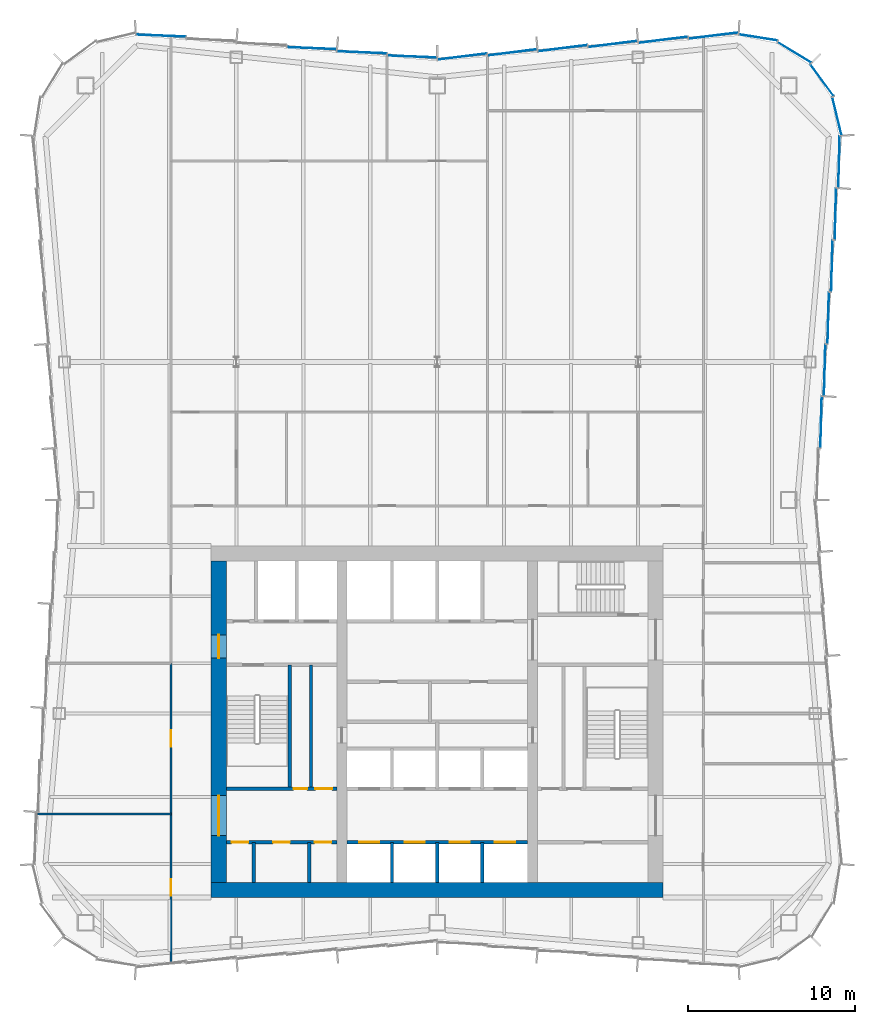
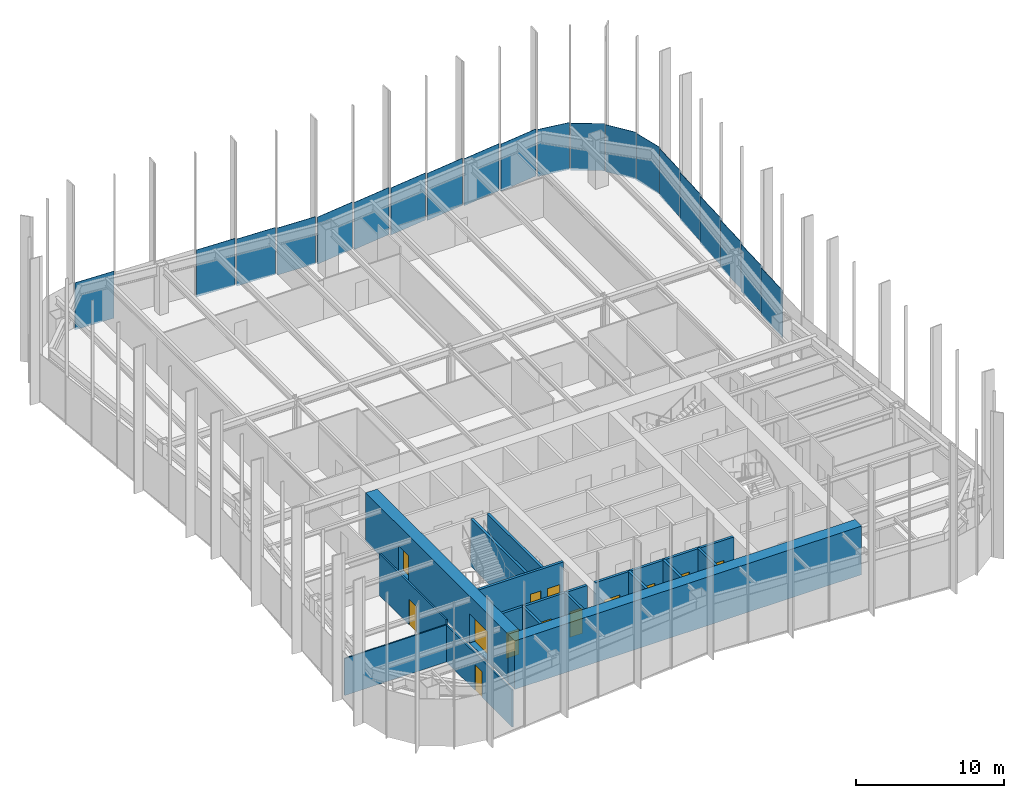
# One storey, part 9 of 13: 20 plates, 15 walls, 13 doors, 13 openings, 3 elements without a shape of their own.
"""IFC4 building model written with IfcOpenShell, lengths in metres."""

from ifc_helpers import new_model, si_unit, direction, frame, frame_2d, origin, origin_2d, place, context, subcontext, project, spatial, rectangle, extrude, material, layer, layer_set, type_object, element, fill, aggregate, save


model = new_model("IFC4")

# Units and contexts
model_context = context("Model", 3, precision=1e-05, world=origin(), true_north=direction((0.0, 1.0)))
body_context = subcontext(model_context, "Body", "Model", "MODEL_VIEW")
ifc_project = project(units=[si_unit("LENGTHUNIT", "METRE"), si_unit("AREAUNIT", "SQUARE_METRE"), si_unit("VOLUMEUNIT", "CUBIC_METRE"), si_unit("PLANEANGLEUNIT", "RADIAN"), si_unit("MASSUNIT", "GRAM", prefix="KILO")], contexts=[model_context])

# Site, building, storey
site_placement = place(None, origin())
site = spatial("IfcSite", under=ifc_project, at=site_placement, CompositionType="ELEMENT")
building_placement = place(site_placement, origin())
building = spatial("IfcBuilding", under=site, at=building_placement, Name="Verdant Reach Tower", CompositionType="ELEMENT")
storey_placement = place(building_placement, frame((0.0, 0.0, 206.0)))
storey = spatial("IfcBuildingStorey", under=building, at=storey_placement, Name="L47", CompositionType="ELEMENT", Elevation=206.0)

# Curtain wall, plate
ifc_material_1 = material(Name="Anodised aluminium", Category="aluminium")
curtain_wall_type = type_object("IfcCurtainWallType", Name="EN-CW SYSTEM Z3", PredefinedType="NOTDEFINED", material=ifc_material_1)
curtain_wall_1_placement = place(storey_placement, origin())
curtain_wall_1 = element("IfcCurtainWall", 1, at=curtain_wall_1_placement, inside=storey, type_object=curtain_wall_type, Name="Curtain wall east, L47", PredefinedType="NOTDEFINED")
ifc_material_2 = material(Name="Tinted glass with champagne spandrel", Category="glass")
ifc_layer_1 = layer(ifc_material_2, 0.031982421875)
ifc_layer_set_1 = layer_set([ifc_layer_1], Name="EN-PANEL CHAMPAGNE")
plate_type_1 = type_object("IfcPlateType", Name="EN-PANEL CHAMPAGNE", PredefinedType="CURTAIN_PANEL", material=ifc_layer_set_1)
plate_1_placement = place(storey_placement, frame((24.001708984375, 61.446044921875, -0.22412109375), z_axis=(0.0, 0.0, 1.0), x_axis=(0.026659626966, 0.999644568979, 0.0)))
plate_1 = element("IfcPlate", 2, at=plate_1_placement, type_object=plate_type_1, Name="Glass panel east face part 2 7.1, L47", PredefinedType="CURTAIN_PANEL", context=body_context, shape_type="SweptSolid", body=[
    extrude(rectangle(XDim=3.06689453125, YDim=0.031982421875, at=origin_2d()), origin(), (0.0, 0.0, 1.0), 3.8740234375),
])

# Curtain wall, plates
curtain_wall_2_placement = place(storey_placement, origin())
curtain_wall_2 = element("IfcCurtainWall", 3, at=curtain_wall_2_placement, inside=storey, type_object=curtain_wall_type, Name="Curtain wall north, L47", PredefinedType="NOTDEFINED")
plate_2_placement = place(storey_placement, frame((7.490966796875, 68.233642578125, -0.22412109375), z_axis=(0.0, 0.0, 1.0), x_axis=(-0.992194034542, -0.124703639961, 0.0)))
plate_2 = element("IfcPlate", 4, at=plate_2_placement, type_object=plate_type_1, Name="Glass panel north face part 1 4.1, L47", PredefinedType="CURTAIN_PANEL", context=body_context, shape_type="SweptSolid", body=[
    extrude(rectangle(XDim=2.948486328125, YDim=0.031982421875, at=origin_2d()), origin(), (0.0, 0.0, 1.0), 3.8740234375),
])
plate_3_placement = place(storey_placement, frame((4.490966796875, 67.983642578125, -0.22412109375), z_axis=(0.0, 0.0, 1.0), x_axis=(-0.992194034542, -0.124703639961, 0.0)))
plate_3 = element("IfcPlate", 5, at=plate_3_placement, type_object=plate_type_1, Name="Glass panel north face part 1 5.1, L47", PredefinedType="CURTAIN_PANEL", context=body_context, shape_type="SweptSolid", body=[
    extrude(rectangle(XDim=2.948486328125, YDim=0.031982421875, at=origin_2d()), origin(), (0.0, 0.0, 1.0), 3.8740234375),
])
plate_4_placement = place(storey_placement, frame((-16.49853515625, 68.983642578125, -0.22412109375), z_axis=(0.0, 0.0, 1.0), x_axis=(-0.999163623568, 0.040890748818, 0.0)))
plate_4 = element("IfcPlate", 6, at=plate_4_placement, type_object=plate_type_1, Name="Glass panel north face part 2 6.1, L47", PredefinedType="CURTAIN_PANEL", context=body_context, shape_type="SweptSolid", body=[
    extrude(rectangle(XDim=2.963623046875, YDim=0.031982421875, at=origin_2d()), origin(), (0.0, 0.0, 1.0), 3.8740234375),
])

# Plate
ifc_material_3 = material(Name="Tinted glass with copper spandrel", Category="glass")
ifc_layer_2 = layer(ifc_material_3, 0.031982421875)
ifc_layer_set_2 = layer_set([ifc_layer_2], Name="EN-PANEL COPPER")
plate_type_2 = type_object("IfcPlateType", Name="EN-PANEL COPPER", PredefinedType="CURTAIN_PANEL", material=ifc_layer_set_2)
plate_5_placement = place(storey_placement, frame((22.93017578125, 45.9033203125, -0.22412109375), z_axis=(0.0, 0.0, 1.0), x_axis=(0.026965318308, 0.999636369691, 0.0)))
plate_5 = element("IfcPlate", 7, at=plate_5_placement, type_object=plate_type_2, Name="Glass panel east face part 2 2.1, L47", PredefinedType="CURTAIN_PANEL", context=body_context, shape_type="SweptSolid", body=[
    extrude(rectangle(XDim=3.052490234375, YDim=0.031982421875, at=origin_2d()), origin(), (0.0, 0.0, 1.0), 3.8740234375),
])

plate_6_placement = place(storey_placement, frame((23.14453125, 49.01025390625, -0.22412109375), z_axis=(0.0, 0.0, 1.0), x_axis=(0.026965318308, 0.999636369691, 0.0)))
plate_6 = element("IfcPlate", 8, at=plate_6_placement, type_object=plate_type_2, Name="Glass panel east face part 2 3.1, L47", PredefinedType="CURTAIN_PANEL", context=body_context, shape_type="SweptSolid", body=[
    extrude(rectangle(XDim=3.052490234375, YDim=0.031982421875, at=origin_2d()), origin(), (0.0, 0.0, 1.0), 3.8740234375),
])

# Curtain wall, plates
curtain_wall_3_placement = place(storey_placement, origin())
curtain_wall_3 = element("IfcCurtainWall", 9, at=curtain_wall_3_placement, inside=storey, type_object=curtain_wall_type, Name="Curtain wall north-east corner, L47", PredefinedType="NOTDEFINED")
plate_7_placement = place(storey_placement, frame((23.87646484375, 64.17236328125, -0.22412109375), z_axis=(0.0, 0.0, 1.0), x_axis=(-0.23644624331, 0.97164457186, 0.0)))
plate_7 = element("IfcPlate", 10, at=plate_7_placement, type_object=plate_type_2, Name="Glass panel north-east corner 1.1, L47", PredefinedType="CURTAIN_PANEL", context=body_context, shape_type="SweptSolid", body=[
    extrude(rectangle(XDim=2.314697265625, YDim=0.031982421875, at=origin_2d()), origin(), (0.0, 0.0, 1.0), 3.8740234375),
])
plate_8_placement = place(storey_placement, frame((22.98193359375, 66.328857421875, -0.22412109375), z_axis=(0.0, 0.0, 1.0), x_axis=(-0.589926747542, 0.807456768214, 0.0)))
plate_8 = element("IfcPlate", 11, at=plate_8_placement, type_object=plate_type_2, Name="Glass panel north-east corner 2.1, L47", PredefinedType="CURTAIN_PANEL", context=body_context, shape_type="SweptSolid", body=[
    extrude(rectangle(XDim=2.321533203125, YDim=0.031982421875, at=origin_2d()), origin(), (0.0, 0.0, 1.0), 3.8740234375),
])

# Plate
plate_9_placement = place(storey_placement, frame((1.495361328125, 67.73388671875, -0.22412109375), z_axis=(0.0, 0.0, 1.0), x_axis=(-0.992178382939, -0.124828107529, 0.0)))
plate_9 = element("IfcPlate", 12, at=plate_9_placement, type_object=plate_type_2, Name="Glass panel north face part 1 6.1, L47", PredefinedType="CURTAIN_PANEL", context=body_context, shape_type="SweptSolid", body=[
    extrude(rectangle(XDim=2.939453125, YDim=0.031982421875, at=origin_2d()), origin(), (0.0, 0.0, 1.0), 3.8740234375),
])

plate_10_placement = place(storey_placement, frame((-1.495361328125, 67.73388671875, -0.22412109375), z_axis=(0.0, 0.0, 1.0), x_axis=(-0.999144020525, 0.041366970501, 0.0)))
plate_10 = element("IfcPlate", 13, at=plate_10_placement, type_object=plate_type_2, Name="Glass panel north face part 2 1.1, L47", PredefinedType="CURTAIN_PANEL", context=body_context, shape_type="SweptSolid", body=[
    extrude(rectangle(XDim=2.939453125, YDim=0.031982421875, at=origin_2d()), origin(), (0.0, 0.0, 1.0), 3.8740234375),
])

plate_11_placement = place(storey_placement, frame((-4.490966796875, 67.983642578125, -0.22412109375), z_axis=(0.0, 0.0, 1.0), x_axis=(-0.999149202059, 0.041241629766, 0.0)))
plate_11 = element("IfcPlate", 14, at=plate_11_placement, type_object=plate_type_2, Name="Glass panel north face part 2 2.1, L47", PredefinedType="CURTAIN_PANEL", context=body_context, shape_type="SweptSolid", body=[
    extrude(rectangle(XDim=2.948486328125, YDim=0.031982421875, at=origin_2d()), origin(), (0.0, 0.0, 1.0), 3.8740234375),
])

ifc_material_4 = material(Name="Tinted glass with dark bronze spandrel", Category="glass")
ifc_layer_3 = layer(ifc_material_4, 0.031982421875)
ifc_layer_set_3 = layer_set([ifc_layer_3], Name="EN-PANEL DARK")
plate_type_3 = type_object("IfcPlateType", Name="EN-PANEL DARK", PredefinedType="CURTAIN_PANEL", material=ifc_layer_set_3)
plate_12_placement = place(storey_placement, frame((23.358642578125, 52.117431640625, -0.22412109375), z_axis=(0.0, 0.0, 1.0), x_axis=(0.026965318308, 0.999636369691, 0.0)))
plate_12 = element("IfcPlate", 15, at=plate_12_placement, type_object=plate_type_3, Name="Glass panel east face part 2 4.1, L47", PredefinedType="CURTAIN_PANEL", context=body_context, shape_type="SweptSolid", body=[
    extrude(rectangle(XDim=3.052490234375, YDim=0.031982421875, at=origin_2d()), origin(), (0.0, 0.0, 1.0), 3.8740234375),
])

plate_13_placement = place(storey_placement, frame((23.572998046875, 55.224609375, -0.22412109375), z_axis=(0.0, 0.0, 1.0), x_axis=(0.026965318308, 0.999636369691, 0.0)))
plate_13 = element("IfcPlate", 16, at=plate_13_placement, type_object=plate_type_3, Name="Glass panel east face part 2 5.1, L47", PredefinedType="CURTAIN_PANEL", context=body_context, shape_type="SweptSolid", body=[
    extrude(rectangle(XDim=3.052490234375, YDim=0.031982421875, at=origin_2d()), origin(), (0.0, 0.0, 1.0), 3.8740234375),
])

plate_14_placement = place(storey_placement, frame((23.787353515625, 58.331787109375, -0.22412109375), z_axis=(0.0, 0.0, 1.0), x_axis=(0.026965318308, 0.999636369691, 0.0)))
plate_14 = element("IfcPlate", 17, at=plate_14_placement, type_object=plate_type_3, Name="Glass panel east face part 2 6.1, L47", PredefinedType="CURTAIN_PANEL", context=body_context, shape_type="SweptSolid", body=[
    extrude(rectangle(XDim=3.052490234375, YDim=0.031982421875, at=origin_2d()), origin(), (0.0, 0.0, 1.0), 3.8740234375),
])

aggregate(curtain_wall_1, [plate_5, plate_6, plate_12, plate_13, plate_14, plate_1])

plate_15_placement = place(storey_placement, frame((21.328857421875, 67.98193359375, -0.22412109375), z_axis=(0.0, 0.0, 1.0), x_axis=(-0.853988701636, 0.520291550457, 0.0)))
plate_15 = element("IfcPlate", 18, at=plate_15_placement, type_object=plate_type_3, Name="Glass panel north-east corner 3.1, L47", PredefinedType="CURTAIN_PANEL", context=body_context, shape_type="SweptSolid", body=[
    extrude(rectangle(XDim=2.321533203125, YDim=0.031982421875, at=origin_2d()), origin(), (0.0, 0.0, 1.0), 3.8740234375),
])

plate_16_placement = place(storey_placement, frame((19.171875, 68.87646484375, -0.22412109375), z_axis=(0.0, 0.0, 1.0), x_axis=(-0.988029071555, 0.154267798848, 0.0)))
plate_16 = element("IfcPlate", 19, at=plate_16_placement, type_object=plate_type_3, Name="Glass panel north-east corner 4.1, L47", PredefinedType="CURTAIN_PANEL", context=body_context, shape_type="SweptSolid", body=[
    extrude(rectangle(XDim=2.3154296875, YDim=0.031982421875, at=origin_2d()), origin(), (0.0, 0.0, 1.0), 3.8740234375),
])

aggregate(curtain_wall_3, [plate_7, plate_8, plate_15, plate_16])

plate_17_placement = place(storey_placement, frame((16.49853515625, 68.983642578125, -0.22412109375), z_axis=(0.0, 0.0, 1.0), x_axis=(-0.992237766434, -0.124355196363, 0.0)))
plate_17 = element("IfcPlate", 20, at=plate_17_placement, type_object=plate_type_3, Name="Glass panel north face part 1 1.1, L47", PredefinedType="CURTAIN_PANEL", context=body_context, shape_type="SweptSolid", body=[
    extrude(rectangle(XDim=2.963623046875, YDim=0.031982421875, at=origin_2d()), origin(), (0.0, 0.0, 1.0), 3.8740234375),
])

plate_18_placement = place(storey_placement, frame((13.490966796875, 68.733642578125, -0.22412109375), z_axis=(0.0, 0.0, 1.0), x_axis=(-0.992194034542, -0.124703639961, 0.0)))
plate_18 = element("IfcPlate", 21, at=plate_18_placement, type_object=plate_type_3, Name="Glass panel north face part 1 2.1, L47", PredefinedType="CURTAIN_PANEL", context=body_context, shape_type="SweptSolid", body=[
    extrude(rectangle(XDim=2.948486328125, YDim=0.031982421875, at=origin_2d()), origin(), (0.0, 0.0, 1.0), 3.8740234375),
])

plate_19_placement = place(storey_placement, frame((10.490966796875, 68.483642578125, -0.22412109375), z_axis=(0.0, 0.0, 1.0), x_axis=(-0.992194034542, -0.124703639961, 0.0)))
plate_19 = element("IfcPlate", 22, at=plate_19_placement, type_object=plate_type_3, Name="Glass panel north face part 1 3.1, L47", PredefinedType="CURTAIN_PANEL", context=body_context, shape_type="SweptSolid", body=[
    extrude(rectangle(XDim=2.948486328125, YDim=0.031982421875, at=origin_2d()), origin(), (0.0, 0.0, 1.0), 3.8740234375),
])

plate_20_placement = place(storey_placement, frame((-7.490966796875, 68.233642578125, -0.22412109375), z_axis=(0.0, 0.0, 1.0), x_axis=(-0.999149202059, 0.041241629766, 0.0)))
plate_20 = element("IfcPlate", 23, at=plate_20_placement, type_object=plate_type_3, Name="Glass panel north face part 2 3.1, L47", PredefinedType="CURTAIN_PANEL", context=body_context, shape_type="SweptSolid", body=[
    extrude(rectangle(XDim=2.948486328125, YDim=0.031982421875, at=origin_2d()), origin(), (0.0, 0.0, 1.0), 3.8740234375),
])

aggregate(curtain_wall_2, [plate_17, plate_18, plate_19, plate_2, plate_3, plate_9, plate_10, plate_11, plate_20, plate_4])

# Wall, openings, doors
ifc_material_5 = material(Name="Gypsum board on steel studs", Category="steel")
ifc_layer_4 = layer(ifc_material_5, 0.199951171875)
ifc_layer_set_4 = layer_set([ifc_layer_4], Name="CO-WALL-ROOM")
wall_type_1 = type_object("IfcWallType", Name="CO-WALL-ROOM", PredefinedType="PARTITIONING", material=ifc_layer_set_4)
wall_1_placement = place(storey_placement, frame((-12.60009765625, 20.800048828125, 0.0), z_axis=(0.0, 0.0, 1.0), x_axis=(1.0, 0.0, 0.0)))
wall_1 = element("IfcWall", 24, at=wall_1_placement, inside=storey, type_object=wall_type_1, Name="Core partition, L47", PredefinedType="PARTITIONING", context=body_context, shape_type="SweptSolid", body=[
    extrude(rectangle(XDim=6.60009765625, YDim=0.199951171875, at=frame_2d((3.300048828125, 0.0))), origin(), (0.0, 0.0, 1.0), 3.8701171875),
])
opening_1_placement = place(wall_1_placement, frame((0.324951171875, 0.0, 0.0)))
opening_1 = element("IfcOpeningElement", 25, at=opening_1_placement, cuts=wall_1, Name="Opening CD", PredefinedType="OPENING", context=body_context, shape_type="SweptSolid", body=[
    extrude(rectangle(XDim=1.0, YDim=2.10009765625, at=frame_2d((0.5, 1.050048828125))), frame((0.0, 0.10986328125, 0.0), z_axis=(0.0, -1.0, 0.0), x_axis=(1.0, 0.0, 0.0)), (0.0, 0.0, 1.0), 0.219970703125),
])
opening_2_placement = place(wall_1_placement, frame((2.800048828125, 0.0, 0.0)))
opening_2 = element("IfcOpeningElement", 26, at=opening_2_placement, cuts=wall_1, Name="Opening CD", PredefinedType="OPENING", context=body_context, shape_type="SweptSolid", body=[
    extrude(rectangle(XDim=1.0, YDim=2.10009765625, at=frame_2d((0.5, 1.050048828125))), frame((0.0, 0.10986328125, 0.0), z_axis=(0.0, -1.0, 0.0), x_axis=(1.0, 0.0, 0.0)), (0.0, 0.0, 1.0), 0.219970703125),
])
opening_3_placement = place(wall_1_placement, frame((5.27490234375, 0.0, 0.0)))
opening_3 = element("IfcOpeningElement", 27, at=opening_3_placement, cuts=wall_1, Name="Opening CD", PredefinedType="OPENING", context=body_context, shape_type="SweptSolid", body=[
    extrude(rectangle(XDim=1.0, YDim=2.10009765625, at=frame_2d((0.5, 1.050048828125))), frame((0.0, 0.10986328125, 0.0), z_axis=(0.0, -1.0, 0.0), x_axis=(1.0, 0.0, 0.0)), (0.0, 0.0, 1.0), 0.219970703125),
])
ifc_material_6 = material(Name="Timber", Category="wood")
door_type_1 = type_object("IfcDoorType", Name="CO-DOOR-ROOM", OperationType="NOTDEFINED", PredefinedType="DOOR", material=ifc_material_6)
door_1_placement = place(opening_1_placement, origin())
door_1 = element("IfcDoor", 28, at=door_1_placement, inside=storey, type_object=door_type_1, Name="Core room door, L47", OperationType="SINGLE_SWING_RIGHT", OverallHeight=2.10009765625, OverallWidth=1.0, PredefinedType="DOOR", context=body_context, shape_type="SweptSolid", body=[
    extrude(rectangle(XDim=1.0, YDim=2.10009765625, at=frame_2d((0.5, 1.050048828125))), frame((0.0, 0.02490234375, 0.0), z_axis=(0.0, -1.0, 0.0), x_axis=(1.0, 0.0, 0.0)), (0.0, 0.0, 1.0), 0.050048828125),
])
fill(opening_1, door_1)
door_2_placement = place(opening_2_placement, origin())
door_2 = element("IfcDoor", 29, at=door_2_placement, inside=storey, type_object=door_type_1, Name="Core room door, L47", OperationType="SINGLE_SWING_RIGHT", OverallHeight=2.10009765625, OverallWidth=1.0, PredefinedType="DOOR", context=body_context, shape_type="SweptSolid", body=[
    extrude(rectangle(XDim=1.0, YDim=2.10009765625, at=frame_2d((0.5, 1.050048828125))), frame((0.0, 0.02490234375, 0.0), z_axis=(0.0, -1.0, 0.0), x_axis=(1.0, 0.0, 0.0)), (0.0, 0.0, 1.0), 0.050048828125),
])
fill(opening_2, door_2)
door_3_placement = place(opening_3_placement, origin())
door_3 = element("IfcDoor", 30, at=door_3_placement, inside=storey, type_object=door_type_1, Name="Core room door, L47", OperationType="SINGLE_SWING_RIGHT", OverallHeight=2.10009765625, OverallWidth=1.0, PredefinedType="DOOR", context=body_context, shape_type="SweptSolid", body=[
    extrude(rectangle(XDim=1.0, YDim=2.10009765625, at=frame_2d((0.5, 1.050048828125))), frame((0.0, 0.02490234375, 0.0), z_axis=(0.0, -1.0, 0.0), x_axis=(1.0, 0.0, 0.0)), (0.0, 0.0, 1.0), 0.050048828125),
])
fill(opening_3, door_3)

# Walls
for number, where, z_axis, x_axis, name in (
    (31, (-10.949951171875, 18.39990234375, 0.0), (0.0, 0.0, 1.0), (0.0, 1.0, 0.0), "Core partition, L47"),
    (32, (-7.64990234375, 18.39990234375, 0.0), (0.0, 0.0, 1.0), (0.0, 1.0, 0.0), "Core partition, L47"),
):
    element("IfcWall", number, at=place(storey_placement, frame(where, z_axis=z_axis, x_axis=x_axis)), inside=storey, type_object=wall_type_1, Name=name, PredefinedType="PARTITIONING", context=body_context, shape_type="SweptSolid", body=[
        extrude(rectangle(XDim=2.400146484375, YDim=0.199951171875, at=frame_2d((1.2001953125, 0.0))), origin(), (0.0, 0.0, 1.0), 3.8701171875),
    ])
wall_2_placement = place(storey_placement, frame((-7.5400390625, 24.0, 0.0), z_axis=(0.0, 0.0, 1.0), x_axis=(0.0, 1.0, 0.0)))
element("IfcWall", 33, at=wall_2_placement, inside=storey, type_object=wall_type_1, Name="Core partition, L47", PredefinedType="PARTITIONING", context=body_context, shape_type="SweptSolid", body=[
    extrude(rectangle(XDim=7.39990234375, YDim=0.199951171875, at=frame_2d((3.699951171875, 0.0))), origin(), (0.0, 0.0, 1.0), 3.8701171875),
])

# Wall, openings, doors
ifc_material_7 = material(Name="Concrete C40/50", Category="concrete")
ifc_layer_5 = layer(ifc_material_7, 0.199951171875)
ifc_layer_set_5 = layer_set([ifc_layer_5], Name="CO-WALL-SHAFT")
wall_type_2 = type_object("IfcWallType", Name="CO-WALL-SHAFT", PredefinedType="PARTITIONING", material=ifc_layer_set_5)
wall_3_placement = place(storey_placement, frame((-5.39990234375, 20.800048828125, 0.0), z_axis=(0.0, 0.0, 1.0), x_axis=(1.0, 0.0, 0.0)))
wall_3 = element("IfcWall", 34, at=wall_3_placement, inside=storey, type_object=wall_type_2, Name="Lift shaft wall, L47", PredefinedType="PARTITIONING", context=body_context, shape_type="SweptSolid", body=[
    extrude(rectangle(XDim=10.7998046875, YDim=0.199951171875, at=frame_2d((5.39990234375, 0.0))), origin(), (0.0, 0.0, 1.0), 3.8701171875),
])
opening_4_placement = place(wall_3_placement, frame((0.75, 0.0, 0.0)))
opening_4 = element("IfcOpeningElement", 35, at=opening_4_placement, cuts=wall_3, Name="Opening LD-B1", PredefinedType="OPENING", context=body_context, shape_type="SweptSolid", body=[
    extrude(rectangle(XDim=1.199951171875, YDim=2.199951171875, at=frame_2d((0.60009765625, 1.10009765625))), frame((0.0, 0.10986328125, 0.0), z_axis=(0.0, -1.0, 0.0), x_axis=(1.0, 0.0, 0.0)), (0.0, 0.0, 1.0), 0.219970703125),
])
opening_5_placement = place(wall_3_placement, frame((3.449951171875, 0.0, 0.0)))
opening_5 = element("IfcOpeningElement", 36, at=opening_5_placement, cuts=wall_3, Name="Opening LD-B2", PredefinedType="OPENING", context=body_context, shape_type="SweptSolid", body=[
    extrude(rectangle(XDim=1.199951171875, YDim=2.199951171875, at=frame_2d((0.60009765625, 1.10009765625))), frame((0.0, 0.10986328125, 0.0), z_axis=(0.0, -1.0, 0.0), x_axis=(1.0, 0.0, 0.0)), (0.0, 0.0, 1.0), 0.219970703125),
])
opening_6_placement = place(wall_3_placement, frame((6.14990234375, 0.0, 0.0)))
opening_6 = element("IfcOpeningElement", 37, at=opening_6_placement, cuts=wall_3, Name="Opening LD-B3", PredefinedType="OPENING", context=body_context, shape_type="SweptSolid", body=[
    extrude(rectangle(XDim=1.199951171875, YDim=2.199951171875, at=frame_2d((0.60009765625, 1.10009765625))), frame((0.0, 0.10986328125, 0.0), z_axis=(0.0, -1.0, 0.0), x_axis=(1.0, 0.0, 0.0)), (0.0, 0.0, 1.0), 0.219970703125),
])
opening_7_placement = place(wall_3_placement, frame((8.85009765625, 0.0, 0.0)))
opening_7 = element("IfcOpeningElement", 38, at=opening_7_placement, cuts=wall_3, Name="Opening LD-B4", PredefinedType="OPENING", context=body_context, shape_type="SweptSolid", body=[
    extrude(rectangle(XDim=1.199951171875, YDim=2.199951171875, at=frame_2d((0.60009765625, 1.10009765625))), frame((0.0, 0.10986328125, 0.0), z_axis=(0.0, -1.0, 0.0), x_axis=(1.0, 0.0, 0.0)), (0.0, 0.0, 1.0), 0.219970703125),
])
ifc_material_8 = material(Name="Stainless steel", Category="steel")
door_type_2 = type_object("IfcDoorType", Name="CO-DOOR-LANDING", OperationType="SLIDING_TO_LEFT", PredefinedType="DOOR", material=ifc_material_8)
door_4_placement = place(opening_4_placement, origin())
door_4 = element("IfcDoor", 39, at=door_4_placement, inside=storey, type_object=door_type_2, Name="Landing door B1, L47", OperationType="SLIDING_TO_LEFT", OverallHeight=2.199951171875, OverallWidth=1.199951171875, PredefinedType="DOOR", context=body_context, shape_type="SweptSolid", body=[
    extrude(rectangle(XDim=1.199951171875, YDim=2.199951171875, at=frame_2d((0.60009765625, 1.10009765625))), frame((0.0, 0.02490234375, 0.0), z_axis=(0.0, -1.0, 0.0), x_axis=(1.0, 0.0, 0.0)), (0.0, 0.0, 1.0), 0.050048828125),
])
fill(opening_4, door_4)
door_5_placement = place(opening_5_placement, origin())
door_5 = element("IfcDoor", 40, at=door_5_placement, inside=storey, type_object=door_type_2, Name="Landing door B2, L47", OperationType="SLIDING_TO_LEFT", OverallHeight=2.199951171875, OverallWidth=1.199951171875, PredefinedType="DOOR", context=body_context, shape_type="SweptSolid", body=[
    extrude(rectangle(XDim=1.199951171875, YDim=2.199951171875, at=frame_2d((0.60009765625, 1.10009765625))), frame((0.0, 0.02490234375, 0.0), z_axis=(0.0, -1.0, 0.0), x_axis=(1.0, 0.0, 0.0)), (0.0, 0.0, 1.0), 0.050048828125),
])
fill(opening_5, door_5)
door_6_placement = place(opening_6_placement, origin())
door_6 = element("IfcDoor", 41, at=door_6_placement, inside=storey, type_object=door_type_2, Name="Landing door B3, L47", OperationType="SLIDING_TO_LEFT", OverallHeight=2.199951171875, OverallWidth=1.199951171875, PredefinedType="DOOR", context=body_context, shape_type="SweptSolid", body=[
    extrude(rectangle(XDim=1.199951171875, YDim=2.199951171875, at=frame_2d((0.60009765625, 1.10009765625))), frame((0.0, 0.02490234375, 0.0), z_axis=(0.0, -1.0, 0.0), x_axis=(1.0, 0.0, 0.0)), (0.0, 0.0, 1.0), 0.050048828125),
])
fill(opening_6, door_6)
door_7_placement = place(opening_7_placement, origin())
door_7 = element("IfcDoor", 42, at=door_7_placement, inside=storey, type_object=door_type_2, Name="Landing door B4, L47", OperationType="SLIDING_TO_LEFT", OverallHeight=2.199951171875, OverallWidth=1.199951171875, PredefinedType="DOOR", context=body_context, shape_type="SweptSolid", body=[
    extrude(rectangle(XDim=1.199951171875, YDim=2.199951171875, at=frame_2d((0.60009765625, 1.10009765625))), frame((0.0, 0.02490234375, 0.0), z_axis=(0.0, -1.0, 0.0), x_axis=(1.0, 0.0, 0.0)), (0.0, 0.0, 1.0), 0.050048828125),
])
fill(opening_7, door_7)

# Walls
for number, where, z_axis, x_axis, name in (
    (43, (-2.699951171875, 18.39990234375, 0.0), (0.0, 0.0, 1.0), (0.0, 1.0, 0.0), "Lift shaft wall, L47"),
    (44, (0.0, 18.39990234375, 0.0), (0.0, 0.0, 1.0), (0.0, 1.0, 0.0), "Lift shaft wall, L47"),
    (45, (2.699951171875, 18.39990234375, 0.0), (0.0, 0.0, 1.0), (0.0, 1.0, 0.0), "Lift shaft wall, L47"),
):
    element("IfcWall", number, at=place(storey_placement, frame(where, z_axis=z_axis, x_axis=x_axis)), inside=storey, type_object=wall_type_2, Name=name, PredefinedType="PARTITIONING", context=body_context, shape_type="SweptSolid", body=[
        extrude(rectangle(XDim=2.400146484375, YDim=0.199951171875, at=frame_2d((1.2001953125, 0.0))), origin(), (0.0, 0.0, 1.0), 3.8701171875),
    ])

# Wall, openings, doors
ifc_layer_6 = layer(ifc_material_7, 0.199951171875)
ifc_layer_set_6 = layer_set([ifc_layer_6], Name="CO-WALL-STAIR")
wall_type_3 = type_object("IfcWallType", Name="CO-WALL-STAIR", PredefinedType="PARTITIONING", material=ifc_layer_set_6)
wall_4_placement = place(storey_placement, frame((-12.60009765625, 24.0, 0.0), z_axis=(0.0, 0.0, 1.0), x_axis=(1.0, 0.0, 0.0)))
wall_4 = element("IfcWall", 46, at=wall_4_placement, inside=storey, type_object=wall_type_3, Name="Stair enclosure wall, L47", PredefinedType="PARTITIONING", context=body_context, shape_type="SweptSolid", body=[
    extrude(rectangle(XDim=6.60009765625, YDim=0.199951171875, at=frame_2d((3.300048828125, 0.0))), origin(), (0.0, 0.0, 1.0), 3.8701171875),
])
opening_8_placement = place(wall_4_placement, frame((4.030029296875, 0.0, 0.0)))
opening_8 = element("IfcOpeningElement", 47, at=opening_8_placement, cuts=wall_4, Name="Opening CDN", PredefinedType="OPENING", context=body_context, shape_type="SweptSolid", body=[
    extrude(rectangle(XDim=0.800048828125, YDim=2.10009765625, at=frame_2d((0.39990234375, 1.050048828125))), frame((0.0, 0.10986328125, 0.0), z_axis=(0.0, -1.0, 0.0), x_axis=(1.0, 0.0, 0.0)), (0.0, 0.0, 1.0), 0.219970703125),
])
opening_9_placement = place(wall_4_placement, frame((5.330078125, 0.0, 0.0)))
opening_9 = element("IfcOpeningElement", 48, at=opening_9_placement, cuts=wall_4, Name="Opening CD", PredefinedType="OPENING", context=body_context, shape_type="SweptSolid", body=[
    extrude(rectangle(XDim=1.0, YDim=2.10009765625, at=frame_2d((0.5, 1.050048828125))), frame((0.0, 0.10986328125, 0.0), z_axis=(0.0, -1.0, 0.0), x_axis=(1.0, 0.0, 0.0)), (0.0, 0.0, 1.0), 0.219970703125),
])
door_8_placement = place(opening_9_placement, origin())
door_8 = element("IfcDoor", 49, at=door_8_placement, inside=storey, type_object=door_type_1, Name="Core room door, L47", OperationType="SINGLE_SWING_LEFT", OverallHeight=2.10009765625, OverallWidth=1.0, PredefinedType="DOOR", context=body_context, shape_type="SweptSolid", body=[
    extrude(rectangle(XDim=1.0, YDim=2.10009765625, at=frame_2d((0.5, 1.050048828125))), frame((0.0, 0.02490234375, 0.0), z_axis=(0.0, -1.0, 0.0), x_axis=(1.0, 0.0, 0.0)), (0.0, 0.0, 1.0), 0.050048828125),
])
fill(opening_9, door_8)
door_type_3 = type_object("IfcDoorType", Name="CO-DOOR-ROOM-NARROW", OperationType="NOTDEFINED", PredefinedType="DOOR", material=ifc_material_6)
door_9_placement = place(opening_8_placement, origin())
door_9 = element("IfcDoor", 50, at=door_9_placement, inside=storey, type_object=door_type_3, Name="Core room door, L47", OperationType="SINGLE_SWING_RIGHT", OverallHeight=2.10009765625, OverallWidth=0.800048828125, PredefinedType="DOOR", context=body_context, shape_type="SweptSolid", body=[
    extrude(rectangle(XDim=0.800048828125, YDim=2.10009765625, at=frame_2d((0.39990234375, 1.050048828125))), frame((0.0, 0.02490234375, 0.0), z_axis=(0.0, -1.0, 0.0), x_axis=(1.0, 0.0, 0.0)), (0.0, 0.0, 1.0), 0.050048828125),
])
fill(opening_8, door_9)

# Walls
wall_5_placement = place(storey_placement, frame((-8.800048828125, 24.0, 0.0), z_axis=(0.0, 0.0, 1.0), x_axis=(0.0, 1.0, 0.0)))
element("IfcWall", 51, at=wall_5_placement, inside=storey, type_object=wall_type_3, Name="Stair enclosure wall, L47", PredefinedType="PARTITIONING", context=body_context, shape_type="SweptSolid", body=[
    extrude(rectangle(XDim=7.39990234375, YDim=0.199951171875, at=frame_2d((3.699951171875, 0.0))), origin(), (0.0, 0.0, 1.0), 3.8701171875),
])
ifc_layer_7 = layer(ifc_material_5, 0.10009765625)
ifc_layer_set_7 = layer_set([ifc_layer_7], Name="FL-W1 Partition 100")
wall_type_4 = type_object("IfcWallType", Name="FL-W1 Partition 100", PredefinedType="PARTITIONING", material=ifc_layer_set_7)
wall_6_placement = place(storey_placement, frame((-15.89990234375, 22.5, 0.0), z_axis=(0.0, 0.0, 1.0), x_axis=(-1.0, 0.0, 0.0)))
element("IfcWall", 52, at=wall_6_placement, inside=storey, type_object=wall_type_4, Name="Partition 47.40", PredefinedType="PARTITIONING", context=body_context, shape_type="SweptSolid", body=[
    extrude(rectangle(XDim=7.97314453125, YDim=0.10009765625, at=frame_2d((3.986572265625, 0.0))), origin(), (0.0, 0.0, 1.0), 3.0400390625),
])

# Wall, opening, door
ifc_material_9 = material(Name="Gypsum board on steel studs, fire rated", Category="steel")
ifc_layer_8 = layer(ifc_material_9, 0.125)
ifc_layer_set_8 = layer_set([ifc_layer_8], Name="FL-W2 Corridor wall 125")
wall_type_5 = type_object("IfcWallType", Name="FL-W2 Corridor wall 125", PredefinedType="PARTITIONING", material=ifc_layer_set_8)
wall_7_placement = place(storey_placement, frame((-15.89990234375, 13.594970703125, 0.0), z_axis=(0.0, 0.0, 1.0), x_axis=(0.0, 1.0, 0.0)))
wall_7 = element("IfcWall", 53, at=wall_7_placement, inside=storey, type_object=wall_type_5, Name="Partition 47.07", PredefinedType="PARTITIONING", context=body_context, shape_type="SweptSolid", body=[
    extrude(rectangle(XDim=8.905029296875, YDim=0.125, at=frame_2d((4.45263671875, 0.0))), origin(), (0.0, 0.0, 1.0), 3.0400390625),
])
opening_10_placement = place(wall_7_placement, frame((4.017578125, 0.0, 0.0)))
opening_10 = element("IfcOpeningElement", 54, at=opening_10_placement, cuts=wall_7, Name="Opening D2", PredefinedType="OPENING", context=body_context, shape_type="SweptSolid", body=[
    extrude(rectangle(XDim=1.0, YDim=2.10009765625, at=frame_2d((0.5, 1.050048828125))), frame((0.0, 0.072509765625, 0.0), z_axis=(0.0, -1.0, 0.0), x_axis=(1.0, 0.0, 0.0)), (0.0, 0.0, 1.0), 0.14501953125),
])
ifc_material_10 = material(Name="Timber door leaf, fire rated", Category="wood")
door_type_4 = type_object("IfcDoorType", Name="FL-D2 Entrance door 1000x2100 FD30", OperationType="NOTDEFINED", PredefinedType="DOOR", material=ifc_material_10)
door_10_placement = place(opening_10_placement, origin())
door_10 = element("IfcDoor", 55, at=door_10_placement, inside=storey, type_object=door_type_4, Name="Door 47-005", OperationType="SINGLE_SWING_RIGHT", OverallHeight=2.10009765625, OverallWidth=1.0, PredefinedType="DOOR", context=body_context, shape_type="SweptSolid", body=[
    extrude(rectangle(XDim=1.0, YDim=2.10009765625, at=frame_2d((0.5, 1.050048828125))), frame((0.0, 0.02490234375, 0.0), z_axis=(0.0, -1.0, 0.0), x_axis=(1.0, 0.0, 0.0)), (0.0, 0.0, 1.0), 0.050048828125),
])
fill(opening_10, door_10)

wall_8_placement = place(storey_placement, frame((-15.89990234375, 22.5, 0.0), z_axis=(0.0, 0.0, 1.0), x_axis=(0.0, 1.0, 0.0)))
wall_8 = element("IfcWall", 56, at=wall_8_placement, inside=storey, type_object=wall_type_5, Name="Partition 47.08", PredefinedType="PARTITIONING", context=body_context, shape_type="SweptSolid", body=[
    extrude(rectangle(XDim=9.0, YDim=0.125, at=frame_2d((4.5, 0.0))), origin(), (0.0, 0.0, 1.0), 3.43994140625),
])
opening_11_placement = place(wall_8_placement, frame((4.0, 0.0, 0.0)))
opening_11 = element("IfcOpeningElement", 57, at=opening_11_placement, cuts=wall_8, Name="Opening D2", PredefinedType="OPENING", context=body_context, shape_type="SweptSolid", body=[
    extrude(rectangle(XDim=1.0, YDim=2.10009765625, at=frame_2d((0.5, 1.050048828125))), frame((0.0, 0.072509765625, 0.0), z_axis=(0.0, -1.0, 0.0), x_axis=(1.0, 0.0, 0.0)), (0.0, 0.0, 1.0), 0.14501953125),
])
door_11_placement = place(opening_11_placement, origin())
door_11 = element("IfcDoor", 58, at=door_11_placement, inside=storey, type_object=door_type_4, Name="Door 47-006", OperationType="SINGLE_SWING_RIGHT", OverallHeight=2.10009765625, OverallWidth=1.0, PredefinedType="DOOR", context=body_context, shape_type="SweptSolid", body=[
    extrude(rectangle(XDim=1.0, YDim=2.10009765625, at=frame_2d((0.5, 1.050048828125))), frame((0.0, 0.02490234375, 0.0), z_axis=(0.0, -1.0, 0.0), x_axis=(1.0, 0.0, 0.0)), (0.0, 0.0, 1.0), 0.050048828125),
])
fill(opening_11, door_11)

# Wall
ifc_material_11 = material(Name="Concrete C70/85", Category="concrete")
ifc_layer_9 = layer(ifc_material_11, 0.89990234375)
ifc_layer_set_9 = layer_set([ifc_layer_9], Name="ST-CORE-WALL-900")
wall_type_6 = type_object("IfcWallType", Name="ST-CORE-WALL-900", PredefinedType="SHEAR", material=ifc_layer_set_9)
wall_9_placement = place(storey_placement, frame((-13.5, 17.949951171875, -0.1298828125), z_axis=(0.0, 0.0, 1.0), x_axis=(1.0, 0.0, 0.0)))
element("IfcWall", 59, at=wall_9_placement, inside=storey, type_object=wall_type_6, Name="Core wall S, L47", PredefinedType="SHEAR", context=body_context, shape_type="SweptSolid", body=[
    extrude(rectangle(XDim=27.0, YDim=0.89990234375, at=frame_2d((13.5, 0.0))), origin(), (0.0, 0.0, 1.0), 4.0),
])

# Wall, openings, doors
wall_10_placement = place(storey_placement, frame((-13.050048828125, 18.39990234375, -0.1298828125), z_axis=(0.0, 0.0, 1.0), x_axis=(0.0, 1.0, 0.0)))
wall_10 = element("IfcWall", 60, at=wall_10_placement, inside=storey, type_object=wall_type_6, Name="Core wall W, L47", PredefinedType="SHEAR", context=body_context, shape_type="SweptSolid", body=[
    extrude(rectangle(XDim=19.2001953125, YDim=0.89990234375, at=frame_2d((9.60009765625, 0.0))), origin(), (0.0, 0.0, 1.0), 4.0),
])
opening_12_placement = place(wall_10_placement, frame((2.800048828125, 0.0, 0.1298828125)))
opening_12 = element("IfcOpeningElement", 61, at=opening_12_placement, cuts=wall_10, Name="Opening LB", PredefinedType="OPENING", context=body_context, shape_type="SweptSolid", body=[
    extrude(rectangle(XDim=2.39990234375, YDim=2.39990234375, at=frame_2d((1.199951171875, 1.199951171875))), frame((0.0, 0.4599609375, 0.0), z_axis=(0.0, -1.0, 0.0), x_axis=(1.0, 0.0, 0.0)), (0.0, 0.0, 1.0), 0.919921875),
])
opening_13_placement = place(wall_10_placement, frame((13.39990234375, 0.0, 0.1298828125)))
opening_13 = element("IfcOpeningElement", 62, at=opening_13_placement, cuts=wall_10, Name="Opening FL", PredefinedType="OPENING", context=body_context, shape_type="SweptSolid", body=[
    extrude(rectangle(XDim=1.39990234375, YDim=2.199951171875, at=frame_2d((0.699951171875, 1.10009765625))), frame((0.0, 0.4599609375, 0.0), z_axis=(0.0, -1.0, 0.0), x_axis=(1.0, 0.0, 0.0)), (0.0, 0.0, 1.0), 0.919921875),
])
ifc_material_12 = material(Name="Steel", Category="steel")
door_type_5 = type_object("IfcDoorType", Name="CO-DOOR-FFL", OperationType="NOTDEFINED", PredefinedType="DOOR", material=ifc_material_12)
door_12_placement = place(opening_13_placement, origin())
door_12 = element("IfcDoor", 63, at=door_12_placement, inside=storey, type_object=door_type_5, Name="Core entrance door, L47", OperationType="SINGLE_SWING_LEFT", OverallHeight=2.199951171875, OverallWidth=1.39990234375, PredefinedType="DOOR", context=body_context, shape_type="SweptSolid", body=[
    extrude(rectangle(XDim=1.39990234375, YDim=2.199951171875, at=frame_2d((0.699951171875, 1.10009765625))), frame((0.0, 0.02490234375, 0.0), z_axis=(0.0, -1.0, 0.0), x_axis=(1.0, 0.0, 0.0)), (0.0, 0.0, 1.0), 0.050048828125),
])
fill(opening_13, door_12)
ifc_material_13 = material(Name="Glass and steel", Category="steel")
door_type_6 = type_object("IfcDoorType", Name="CO-DOOR-LOBBY", OperationType="DOUBLE_DOOR_SINGLE_SWING", PredefinedType="DOOR", material=ifc_material_13)
door_13_placement = place(opening_12_placement, origin())
door_13 = element("IfcDoor", 64, at=door_13_placement, inside=storey, type_object=door_type_6, Name="Core entrance door, L47", OperationType="DOUBLE_DOOR_SINGLE_SWING", OverallHeight=2.39990234375, OverallWidth=2.39990234375, PredefinedType="DOOR", context=body_context, shape_type="SweptSolid", body=[
    extrude(rectangle(XDim=2.39990234375, YDim=2.39990234375, at=frame_2d((1.199951171875, 1.199951171875))), frame((0.0, 0.02490234375, 0.0), z_axis=(0.0, -1.0, 0.0), x_axis=(1.0, 0.0, 0.0)), (0.0, 0.0, 1.0), 0.050048828125),
])
fill(opening_12, door_13)

save(model, "model.ifc")
